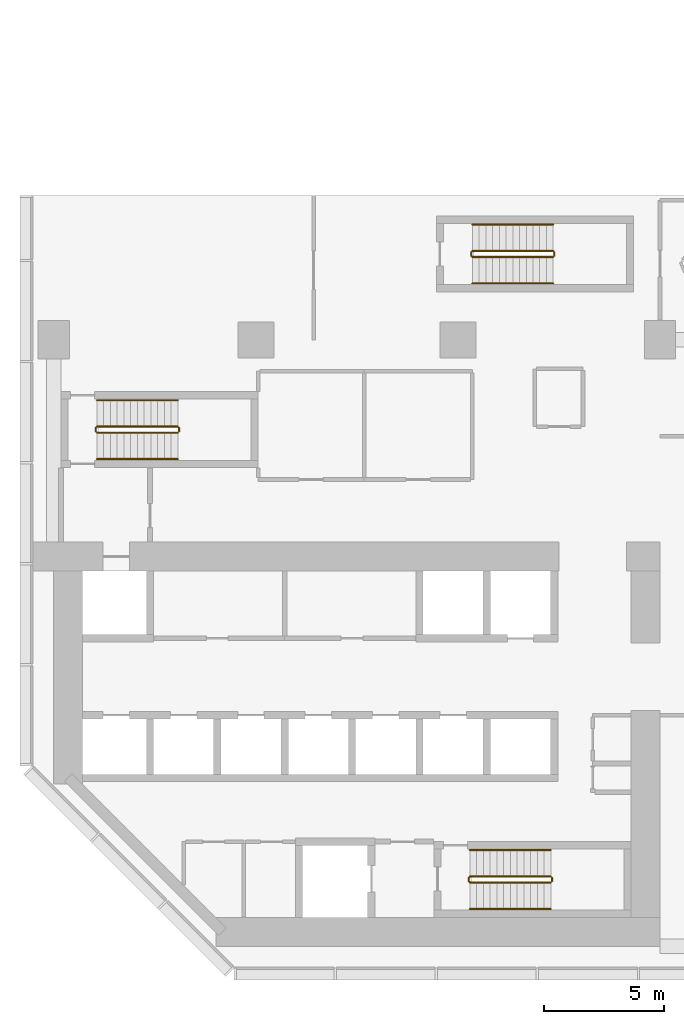
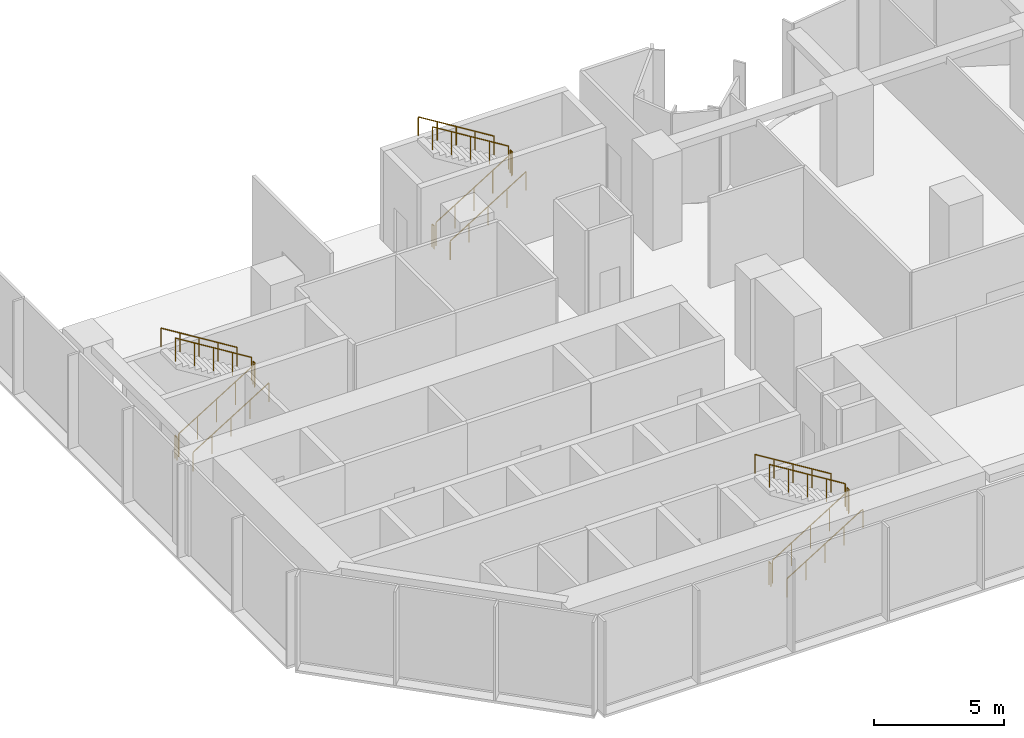
# One storey, part 16 of 18: 18 railings.
"""IFC4 building model written with IfcOpenShell, lengths in metres."""

from ifc_helpers import new_model, si_unit, direction, frame, origin, origin_2d, place, context, subcontext, project, spatial, circle, extrude, material, type_object, element, save


model = new_model("IFC4")

# Units and contexts
model_context = context("Model", 3, precision=1e-05, world=origin(), true_north=direction((0.0, 1.0)))
body_context = subcontext(model_context, "Body", "Model", "MODEL_VIEW")
ifc_project = project(units=[si_unit("LENGTHUNIT", "METRE"), si_unit("AREAUNIT", "SQUARE_METRE"), si_unit("VOLUMEUNIT", "CUBIC_METRE"), si_unit("PLANEANGLEUNIT", "RADIAN"), si_unit("MASSUNIT", "GRAM", prefix="KILO")], contexts=[model_context])

# Site, building, storey
site_placement = place(None, origin())
site = spatial("IfcSite", under=ifc_project, at=site_placement, CompositionType="ELEMENT")
building_placement = place(site_placement, origin())
building = spatial("IfcBuilding", under=site, at=building_placement, Name="Brevane Broadcast Tower", CompositionType="ELEMENT")
storey_placement = place(building_placement, frame((0.0, 0.0, 27.5)))
storey = spatial("IfcBuildingStorey", under=building, at=storey_placement, Name="L04", CompositionType="ELEMENT", Elevation=27.5)

# Railings
ifc_material = material(Name="Steel S355", Category="steel")
railing_type_1 = type_object("IfcRailingType", Name="Exit stair guard", PredefinedType="GUARDRAIL", material=ifc_material)
railing_1_placement = place(storey_placement, frame((1.800048828125, 21.35009765625, 0.173095703125)))
element("IfcRailing", 1, at=railing_1_placement, inside=storey, type_object=railing_type_1, Name="L04 ST-1 stair guard 1", PredefinedType="GUARDRAIL", context=body_context, shape_type="SweptSolid", body=[
    extrude(circle(Radius=0.02392578125, at=origin_2d()), frame((0.0, 0.0, 1.076171875), z_axis=(0.850606129759, 0.0, 0.525803396734), x_axis=(0.0, 1.0, 0.0)), (0.0, 0.0, 1.0), 3.949951171875),
    extrude(circle(Radius=0.02099609375, at=origin_2d()), origin(), (0.0, 0.0, 1.0), 1.052001953125),
    extrude(circle(Radius=0.02099609375, at=origin_2d()), frame((0.83984375, 0.0, 0.519287109375)), (0.0, 0.0, 1.0), 1.052001953125),
    extrude(circle(Radius=0.02099609375, at=origin_2d()), frame((1.679931640625, 0.0, 1.03857421875)), (0.0, 0.0, 1.0), 1.052001953125),
    extrude(circle(Radius=0.02099609375, at=origin_2d()), frame((2.52001953125, 0.0, 1.5576171875)), (0.0, 0.0, 1.0), 1.052001953125),
    extrude(circle(Radius=0.02099609375, at=origin_2d()), frame((3.35986328125, 0.0, 2.076904296875)), (0.0, 0.0, 1.0), 1.052001953125),
])
railing_2_placement = place(storey_placement, frame((5.2099609375, 21.39990234375, 2.25)))
element("IfcRailing", 2, at=railing_2_placement, inside=storey, type_object=railing_type_1, Name="L04 ST-1 stair guard 2", PredefinedType="GUARDRAIL", context=body_context, shape_type="SweptSolid", body=[
    extrude(circle(Radius=0.02392578125, at=origin_2d()), frame((0.0, 0.0, 1.076171875), z_axis=(0.0, 1.0, 0.0), x_axis=(-1.0, 0.0, 0.0)), (0.0, 0.0, 1.0), 0.150146484375),
    extrude(circle(Radius=0.02099609375, at=origin_2d()), origin(), (0.0, 0.0, 1.0), 1.052001953125),
    extrude(circle(Radius=0.02099609375, at=origin_2d()), frame((0.0, 0.150146484375, 0.0)), (0.0, 0.0, 1.0), 1.052001953125),
])
railing_3_placement = place(storey_placement, frame((5.159912109375, 21.60009765625, 2.423095703125)))
element("IfcRailing", 3, at=railing_3_placement, inside=storey, type_object=railing_type_1, Name="L04 ST-1 stair guard 3", PredefinedType="GUARDRAIL", context=body_context, shape_type="SweptSolid", body=[
    extrude(circle(Radius=0.02392578125, at=origin_2d()), frame((0.0, 0.0, 1.076171875), z_axis=(-0.850606129759, 0.0, 0.525803396734), x_axis=(0.0, -1.0, 0.0)), (0.0, 0.0, 1.0), 3.949951171875),
    extrude(circle(Radius=0.02099609375, at=origin_2d()), origin(), (0.0, 0.0, 1.0), 1.052001953125),
    extrude(circle(Radius=0.02099609375, at=origin_2d()), frame((-0.83984375, 0.0, 0.519287109375)), (0.0, 0.0, 1.0), 1.052001953125),
    extrude(circle(Radius=0.02099609375, at=origin_2d()), frame((-1.679931640625, 0.0, 1.03857421875)), (0.0, 0.0, 1.0), 1.052001953125),
    extrude(circle(Radius=0.02099609375, at=origin_2d()), frame((-2.52001953125, 0.0, 1.5576171875)), (0.0, 0.0, 1.0), 1.052001953125),
    extrude(circle(Radius=0.02099609375, at=origin_2d()), frame((-3.35986328125, 0.0, 2.076904296875)), (0.0, 0.0, 1.0), 1.052001953125),
])
railing_4_placement = place(storey_placement, frame((1.75, 21.39990234375, 0.0)))
element("IfcRailing", 4, at=railing_4_placement, inside=storey, type_object=railing_type_1, Name="L04 ST-1 stair guard 4", PredefinedType="GUARDRAIL", context=body_context, shape_type="SweptSolid", body=[
    extrude(circle(Radius=0.02392578125, at=origin_2d()), frame((0.0, 0.0, 1.076171875), z_axis=(0.0, 1.0, 0.0), x_axis=(-1.0, 0.0, 0.0)), (0.0, 0.0, 1.0), 0.150146484375),
    extrude(circle(Radius=0.02099609375, at=origin_2d()), origin(), (0.0, 0.0, 1.0), 1.052001953125),
    extrude(circle(Radius=0.02099609375, at=origin_2d()), frame((0.0, 0.150146484375, 0.0)), (0.0, 0.0, 1.0), 1.052001953125),
])
railing_5_placement = place(storey_placement, frame((17.300048828125, 2.64990234375, 0.173095703125)))
element("IfcRailing", 5, at=railing_5_placement, inside=storey, type_object=railing_type_1, Name="L04 ST-2 stair guard 1", PredefinedType="GUARDRAIL", context=body_context, shape_type="SweptSolid", body=[
    extrude(circle(Radius=0.02392578125, at=origin_2d()), frame((0.0, 0.0, 1.076171875), z_axis=(0.850606129759, 0.0, 0.525803396734), x_axis=(0.0, 1.0, 0.0)), (0.0, 0.0, 1.0), 3.949951171875),
    extrude(circle(Radius=0.02099609375, at=origin_2d()), origin(), (0.0, 0.0, 1.0), 1.052001953125),
    extrude(circle(Radius=0.02099609375, at=origin_2d()), frame((0.83984375, 0.0, 0.519287109375)), (0.0, 0.0, 1.0), 1.052001953125),
    extrude(circle(Radius=0.02099609375, at=origin_2d()), frame((1.679931640625, 0.0, 1.03857421875)), (0.0, 0.0, 1.0), 1.052001953125),
    extrude(circle(Radius=0.02099609375, at=origin_2d()), frame((2.52001953125, 0.0, 1.5576171875)), (0.0, 0.0, 1.0), 1.052001953125),
    extrude(circle(Radius=0.02099609375, at=origin_2d()), frame((3.35986328125, 0.0, 2.076904296875)), (0.0, 0.0, 1.0), 1.052001953125),
])
railing_6_placement = place(storey_placement, frame((20.7099609375, 2.699951171875, 2.25)))
element("IfcRailing", 6, at=railing_6_placement, inside=storey, type_object=railing_type_1, Name="L04 ST-2 stair guard 2", PredefinedType="GUARDRAIL", context=body_context, shape_type="SweptSolid", body=[
    extrude(circle(Radius=0.02392578125, at=origin_2d()), frame((0.0, 0.0, 1.076171875), z_axis=(0.0, 1.0, 0.0), x_axis=(-1.0, 0.0, 0.0)), (0.0, 0.0, 1.0), 0.150146484375),
    extrude(circle(Radius=0.02099609375, at=origin_2d()), origin(), (0.0, 0.0, 1.0), 1.052001953125),
    extrude(circle(Radius=0.02099609375, at=origin_2d()), frame((0.0, 0.150146484375, 0.0)), (0.0, 0.0, 1.0), 1.052001953125),
])
railing_7_placement = place(storey_placement, frame((20.659912109375, 2.89990234375, 2.423095703125)))
element("IfcRailing", 7, at=railing_7_placement, inside=storey, type_object=railing_type_1, Name="L04 ST-2 stair guard 3", PredefinedType="GUARDRAIL", context=body_context, shape_type="SweptSolid", body=[
    extrude(circle(Radius=0.02392578125, at=origin_2d()), frame((0.0, 0.0, 1.076171875), z_axis=(-0.850606129759, 0.0, 0.525803396734), x_axis=(0.0, -1.0, 0.0)), (0.0, 0.0, 1.0), 3.949951171875),
    extrude(circle(Radius=0.02099609375, at=origin_2d()), origin(), (0.0, 0.0, 1.0), 1.052001953125),
    extrude(circle(Radius=0.02099609375, at=origin_2d()), frame((-0.83984375, 0.0, 0.519287109375)), (0.0, 0.0, 1.0), 1.052001953125),
    extrude(circle(Radius=0.02099609375, at=origin_2d()), frame((-1.679931640625, 0.0, 1.03857421875)), (0.0, 0.0, 1.0), 1.052001953125),
    extrude(circle(Radius=0.02099609375, at=origin_2d()), frame((-2.52001953125, 0.0, 1.5576171875)), (0.0, 0.0, 1.0), 1.052001953125),
    extrude(circle(Radius=0.02099609375, at=origin_2d()), frame((-3.35986328125, 0.0, 2.076904296875)), (0.0, 0.0, 1.0), 1.052001953125),
])
railing_8_placement = place(storey_placement, frame((17.25, 2.699951171875, 0.0)))
element("IfcRailing", 8, at=railing_8_placement, inside=storey, type_object=railing_type_1, Name="L04 ST-2 stair guard 4", PredefinedType="GUARDRAIL", context=body_context, shape_type="SweptSolid", body=[
    extrude(circle(Radius=0.02392578125, at=origin_2d()), frame((0.0, 0.0, 1.076171875), z_axis=(0.0, 1.0, 0.0), x_axis=(-1.0, 0.0, 0.0)), (0.0, 0.0, 1.0), 0.150146484375),
    extrude(circle(Radius=0.02099609375, at=origin_2d()), origin(), (0.0, 0.0, 1.0), 1.052001953125),
    extrude(circle(Radius=0.02099609375, at=origin_2d()), frame((0.0, 0.150146484375, 0.0)), (0.0, 0.0, 1.0), 1.052001953125),
])
railing_9_placement = place(storey_placement, frame((17.39990234375, 28.64990234375, 0.173095703125)))
element("IfcRailing", 9, at=railing_9_placement, inside=storey, type_object=railing_type_1, Name="L04 ST-3 stair guard 1", PredefinedType="GUARDRAIL", context=body_context, shape_type="SweptSolid", body=[
    extrude(circle(Radius=0.02392578125, at=origin_2d()), frame((0.0, 0.0, 1.076171875), z_axis=(0.850623216509, 0.0, 0.525775754039), x_axis=(0.0, 1.0, 0.0)), (0.0, 0.0, 1.0), 3.9501953125),
    extrude(circle(Radius=0.02099609375, at=origin_2d()), origin(), (0.0, 0.0, 1.0), 1.052001953125),
    extrude(circle(Radius=0.02099609375, at=origin_2d()), frame((0.840087890625, 0.0, 0.519287109375)), (0.0, 0.0, 1.0), 1.052001953125),
    extrude(circle(Radius=0.02099609375, at=origin_2d()), frame((1.68017578125, 0.0, 1.03857421875)), (0.0, 0.0, 1.0), 1.052001953125),
    extrude(circle(Radius=0.02099609375, at=origin_2d()), frame((2.52001953125, 0.0, 1.5576171875)), (0.0, 0.0, 1.0), 1.052001953125),
    extrude(circle(Radius=0.02099609375, at=origin_2d()), frame((3.360107421875, 0.0, 2.076904296875)), (0.0, 0.0, 1.0), 1.052001953125),
])
railing_10_placement = place(storey_placement, frame((20.81005859375, 28.699951171875, 2.25)))
element("IfcRailing", 10, at=railing_10_placement, inside=storey, type_object=railing_type_1, Name="L04 ST-3 stair guard 2", PredefinedType="GUARDRAIL", context=body_context, shape_type="SweptSolid", body=[
    extrude(circle(Radius=0.02392578125, at=origin_2d()), frame((0.0, 0.0, 1.076171875), z_axis=(0.0, 1.0, 0.0), x_axis=(-1.0, 0.0, 0.0)), (0.0, 0.0, 1.0), 0.150146484375),
    extrude(circle(Radius=0.02099609375, at=origin_2d()), origin(), (0.0, 0.0, 1.0), 1.052001953125),
    extrude(circle(Radius=0.02099609375, at=origin_2d()), frame((0.0, 0.150146484375, 0.0)), (0.0, 0.0, 1.0), 1.052001953125),
])
railing_11_placement = place(storey_placement, frame((20.760009765625, 28.89990234375, 2.423095703125)))
element("IfcRailing", 11, at=railing_11_placement, inside=storey, type_object=railing_type_1, Name="L04 ST-3 stair guard 3", PredefinedType="GUARDRAIL", context=body_context, shape_type="SweptSolid", body=[
    extrude(circle(Radius=0.02392578125, at=origin_2d()), frame((0.0, 0.0, 1.076171875), z_axis=(-0.850623216509, 0.0, 0.525775754039), x_axis=(0.0, -1.0, 0.0)), (0.0, 0.0, 1.0), 3.9501953125),
    extrude(circle(Radius=0.02099609375, at=origin_2d()), origin(), (0.0, 0.0, 1.0), 1.052001953125),
    extrude(circle(Radius=0.02099609375, at=origin_2d()), frame((-0.840087890625, 0.0, 0.519287109375)), (0.0, 0.0, 1.0), 1.052001953125),
    extrude(circle(Radius=0.02099609375, at=origin_2d()), frame((-1.68017578125, 0.0, 1.03857421875)), (0.0, 0.0, 1.0), 1.052001953125),
    extrude(circle(Radius=0.02099609375, at=origin_2d()), frame((-2.52001953125, 0.0, 1.5576171875)), (0.0, 0.0, 1.0), 1.052001953125),
    extrude(circle(Radius=0.02099609375, at=origin_2d()), frame((-3.360107421875, 0.0, 2.076904296875)), (0.0, 0.0, 1.0), 1.052001953125),
])
railing_12_placement = place(storey_placement, frame((17.35009765625, 28.699951171875, 0.0)))
element("IfcRailing", 12, at=railing_12_placement, inside=storey, type_object=railing_type_1, Name="L04 ST-3 stair guard 4", PredefinedType="GUARDRAIL", context=body_context, shape_type="SweptSolid", body=[
    extrude(circle(Radius=0.02392578125, at=origin_2d()), frame((0.0, 0.0, 1.076171875), z_axis=(0.0, 1.0, 0.0), x_axis=(-1.0, 0.0, 0.0)), (0.0, 0.0, 1.0), 0.150146484375),
    extrude(circle(Radius=0.02099609375, at=origin_2d()), origin(), (0.0, 0.0, 1.0), 1.052001953125),
    extrude(circle(Radius=0.02099609375, at=origin_2d()), frame((0.0, 0.150146484375, 0.0)), (0.0, 0.0, 1.0), 1.052001953125),
])
railing_type_2 = type_object("IfcRailingType", Name="Exit stair handrail", PredefinedType="HANDRAIL", material=ifc_material)
railing_13_placement = place(storey_placement, frame((1.800048828125, 20.25, 0.173095703125)))
element("IfcRailing", 13, at=railing_13_placement, inside=storey, type_object=railing_type_2, Name="L04 ST-1 stair handrail 1", PredefinedType="HANDRAIL", context=body_context, shape_type="SweptSolid", body=[
    extrude(circle(Radius=0.02392578125, at=origin_2d()), frame((0.0, 0.0, 0.8759765625), z_axis=(0.850606129759, 0.0, 0.525803396734), x_axis=(0.0, 1.0, 0.0)), (0.0, 0.0, 1.0), 3.949951171875),
    extrude(circle(Radius=0.02099609375, at=origin_2d()), origin(), (0.0, 0.0, 1.0), 0.851806640625),
    extrude(circle(Radius=0.02099609375, at=origin_2d()), frame((0.83984375, 0.0, 0.519287109375)), (0.0, 0.0, 1.0), 0.851806640625),
    extrude(circle(Radius=0.02099609375, at=origin_2d()), frame((1.679931640625, 0.0, 1.03857421875)), (0.0, 0.0, 1.0), 0.851806640625),
    extrude(circle(Radius=0.02099609375, at=origin_2d()), frame((2.52001953125, 0.0, 1.5576171875)), (0.0, 0.0, 1.0), 0.851806640625),
    extrude(circle(Radius=0.02099609375, at=origin_2d()), frame((3.35986328125, 0.0, 2.076904296875)), (0.0, 0.0, 1.0), 0.851806640625),
])
railing_14_placement = place(storey_placement, frame((5.159912109375, 22.699951171875, 2.423095703125)))
element("IfcRailing", 14, at=railing_14_placement, inside=storey, type_object=railing_type_2, Name="L04 ST-1 stair handrail 2", PredefinedType="HANDRAIL", context=body_context, shape_type="SweptSolid", body=[
    extrude(circle(Radius=0.02392578125, at=origin_2d()), frame((0.0, 0.0, 0.8759765625), z_axis=(-0.850606129759, 0.0, 0.525803396734), x_axis=(0.0, -1.0, 0.0)), (0.0, 0.0, 1.0), 3.949951171875),
    extrude(circle(Radius=0.02099609375, at=origin_2d()), origin(), (0.0, 0.0, 1.0), 0.851806640625),
    extrude(circle(Radius=0.02099609375, at=origin_2d()), frame((-0.83984375, 0.0, 0.519287109375)), (0.0, 0.0, 1.0), 0.851806640625),
    extrude(circle(Radius=0.02099609375, at=origin_2d()), frame((-1.679931640625, 0.0, 1.03857421875)), (0.0, 0.0, 1.0), 0.851806640625),
    extrude(circle(Radius=0.02099609375, at=origin_2d()), frame((-2.52001953125, 0.0, 1.5576171875)), (0.0, 0.0, 1.0), 0.851806640625),
    extrude(circle(Radius=0.02099609375, at=origin_2d()), frame((-3.35986328125, 0.0, 2.076904296875)), (0.0, 0.0, 1.0), 0.851806640625),
])
railing_15_placement = place(storey_placement, frame((17.300048828125, 1.550048828125, 0.173095703125)))
element("IfcRailing", 15, at=railing_15_placement, inside=storey, type_object=railing_type_2, Name="L04 ST-2 stair handrail 1", PredefinedType="HANDRAIL", context=body_context, shape_type="SweptSolid", body=[
    extrude(circle(Radius=0.02392578125, at=origin_2d()), frame((0.0, 0.0, 0.8759765625), z_axis=(0.850606129759, 0.0, 0.525803396734), x_axis=(0.0, 1.0, 0.0)), (0.0, 0.0, 1.0), 3.949951171875),
    extrude(circle(Radius=0.02099609375, at=origin_2d()), origin(), (0.0, 0.0, 1.0), 0.851806640625),
    extrude(circle(Radius=0.02099609375, at=origin_2d()), frame((0.83984375, 0.0, 0.519287109375)), (0.0, 0.0, 1.0), 0.851806640625),
    extrude(circle(Radius=0.02099609375, at=origin_2d()), frame((1.679931640625, 0.0, 1.03857421875)), (0.0, 0.0, 1.0), 0.851806640625),
    extrude(circle(Radius=0.02099609375, at=origin_2d()), frame((2.52001953125, 0.0, 1.5576171875)), (0.0, 0.0, 1.0), 0.851806640625),
    extrude(circle(Radius=0.02099609375, at=origin_2d()), frame((3.35986328125, 0.0, 2.076904296875)), (0.0, 0.0, 1.0), 0.851806640625),
])
railing_16_placement = place(storey_placement, frame((20.659912109375, 4.0, 2.423095703125)))
element("IfcRailing", 16, at=railing_16_placement, inside=storey, type_object=railing_type_2, Name="L04 ST-2 stair handrail 2", PredefinedType="HANDRAIL", context=body_context, shape_type="SweptSolid", body=[
    extrude(circle(Radius=0.02392578125, at=origin_2d()), frame((0.0, 0.0, 0.8759765625), z_axis=(-0.850606129759, 0.0, 0.525803396734), x_axis=(0.0, -1.0, 0.0)), (0.0, 0.0, 1.0), 3.949951171875),
    extrude(circle(Radius=0.02099609375, at=origin_2d()), origin(), (0.0, 0.0, 1.0), 0.851806640625),
    extrude(circle(Radius=0.02099609375, at=origin_2d()), frame((-0.83984375, 0.0, 0.519287109375)), (0.0, 0.0, 1.0), 0.851806640625),
    extrude(circle(Radius=0.02099609375, at=origin_2d()), frame((-1.679931640625, 0.0, 1.03857421875)), (0.0, 0.0, 1.0), 0.851806640625),
    extrude(circle(Radius=0.02099609375, at=origin_2d()), frame((-2.52001953125, 0.0, 1.5576171875)), (0.0, 0.0, 1.0), 0.851806640625),
    extrude(circle(Radius=0.02099609375, at=origin_2d()), frame((-3.35986328125, 0.0, 2.076904296875)), (0.0, 0.0, 1.0), 0.851806640625),
])
railing_17_placement = place(storey_placement, frame((17.39990234375, 27.550048828125, 0.173095703125)))
element("IfcRailing", 17, at=railing_17_placement, inside=storey, type_object=railing_type_2, Name="L04 ST-3 stair handrail 1", PredefinedType="HANDRAIL", context=body_context, shape_type="SweptSolid", body=[
    extrude(circle(Radius=0.02392578125, at=origin_2d()), frame((0.0, 0.0, 0.8759765625), z_axis=(0.850623216509, 0.0, 0.525775754039), x_axis=(0.0, 1.0, 0.0)), (0.0, 0.0, 1.0), 3.9501953125),
    extrude(circle(Radius=0.02099609375, at=origin_2d()), origin(), (0.0, 0.0, 1.0), 0.851806640625),
    extrude(circle(Radius=0.02099609375, at=origin_2d()), frame((0.840087890625, 0.0, 0.519287109375)), (0.0, 0.0, 1.0), 0.851806640625),
    extrude(circle(Radius=0.02099609375, at=origin_2d()), frame((1.68017578125, 0.0, 1.03857421875)), (0.0, 0.0, 1.0), 0.851806640625),
    extrude(circle(Radius=0.02099609375, at=origin_2d()), frame((2.52001953125, 0.0, 1.5576171875)), (0.0, 0.0, 1.0), 0.851806640625),
    extrude(circle(Radius=0.02099609375, at=origin_2d()), frame((3.360107421875, 0.0, 2.076904296875)), (0.0, 0.0, 1.0), 0.851806640625),
])
railing_18_placement = place(storey_placement, frame((20.760009765625, 30.0, 2.423095703125)))
element("IfcRailing", 18, at=railing_18_placement, inside=storey, type_object=railing_type_2, Name="L04 ST-3 stair handrail 2", PredefinedType="HANDRAIL", context=body_context, shape_type="SweptSolid", body=[
    extrude(circle(Radius=0.02392578125, at=origin_2d()), frame((0.0, 0.0, 0.8759765625), z_axis=(-0.850623216509, 0.0, 0.525775754039), x_axis=(0.0, -1.0, 0.0)), (0.0, 0.0, 1.0), 3.9501953125),
    extrude(circle(Radius=0.02099609375, at=origin_2d()), origin(), (0.0, 0.0, 1.0), 0.851806640625),
    extrude(circle(Radius=0.02099609375, at=origin_2d()), frame((-0.840087890625, 0.0, 0.519287109375)), (0.0, 0.0, 1.0), 0.851806640625),
    extrude(circle(Radius=0.02099609375, at=origin_2d()), frame((-1.68017578125, 0.0, 1.03857421875)), (0.0, 0.0, 1.0), 0.851806640625),
    extrude(circle(Radius=0.02099609375, at=origin_2d()), frame((-2.52001953125, 0.0, 1.5576171875)), (0.0, 0.0, 1.0), 0.851806640625),
    extrude(circle(Radius=0.02099609375, at=origin_2d()), frame((-3.360107421875, 0.0, 2.076904296875)), (0.0, 0.0, 1.0), 0.851806640625),
])

save(model, "model.ifc")
